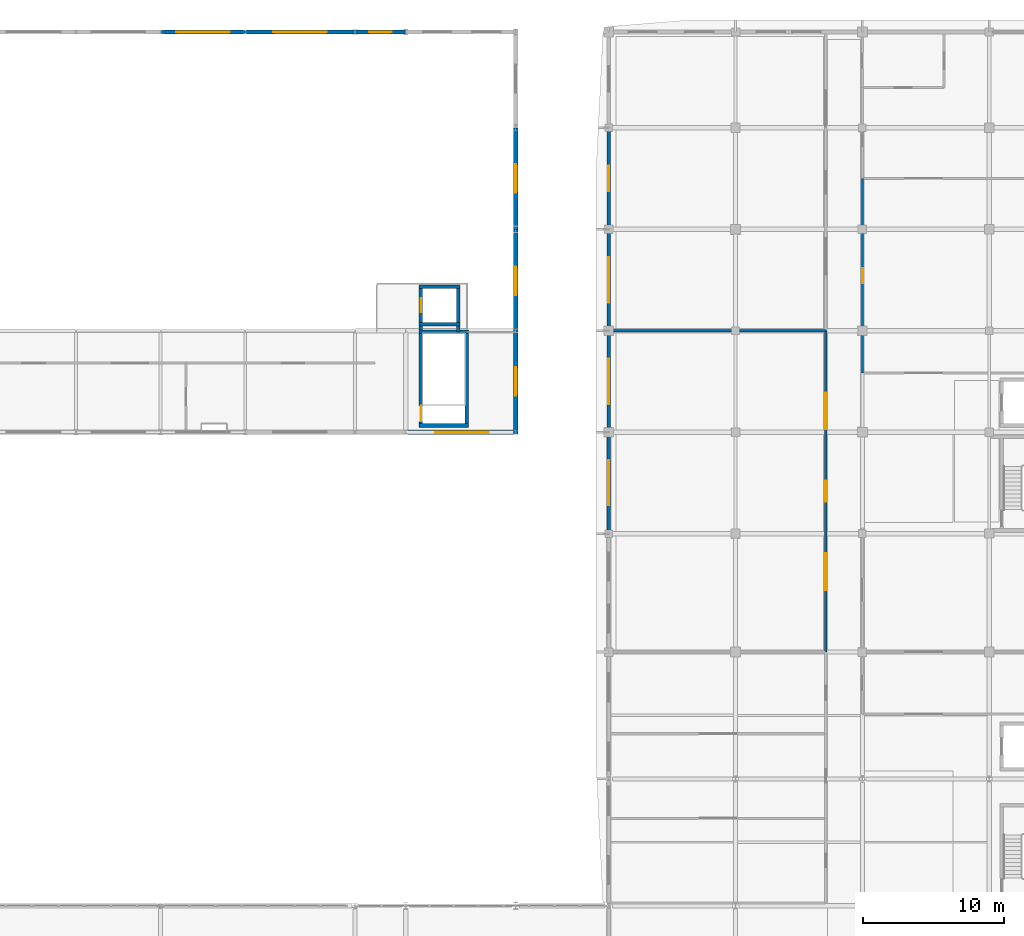
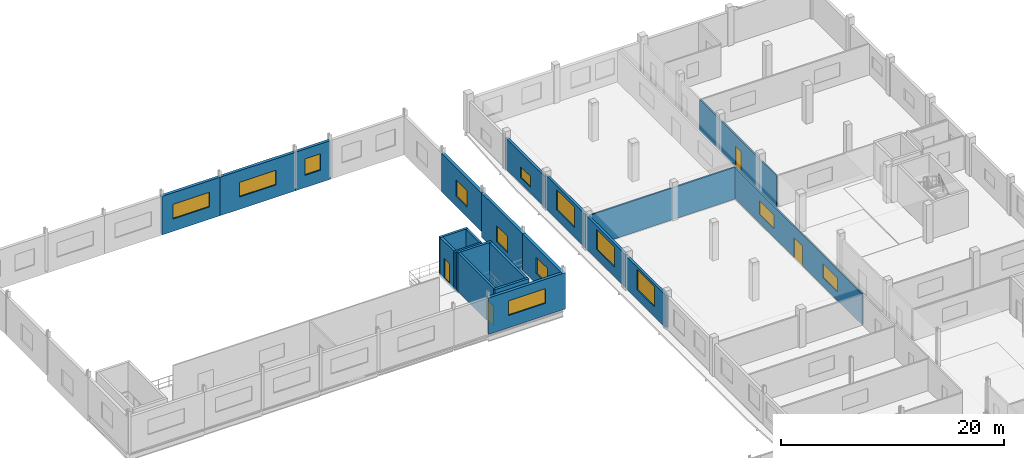
# One storey, part 102 of 121: 22 walls, 13 windows, 4 doors, 17 openings.
"""IFC4 building model written with IfcOpenShell, lengths in metres."""

from ifc_helpers import new_model, si_unit, direction, frame, frame_2d, origin, place, context, subcontext, project, spatial, rectangle, extrude, material, layer, layer_set, type_object, element, fill, save


model = new_model("IFC4")

# Units and contexts
model_context = context("Model", 3, precision=1e-05, world=origin(), true_north=direction((0.0, 1.0)))
body_context = subcontext(model_context, "Body", "Model", "MODEL_VIEW")
ifc_project = project(units=[si_unit("LENGTHUNIT", "METRE"), si_unit("AREAUNIT", "SQUARE_METRE"), si_unit("VOLUMEUNIT", "CUBIC_METRE"), si_unit("PLANEANGLEUNIT", "RADIAN"), si_unit("MASSUNIT", "GRAM", prefix="KILO")], contexts=[model_context])

# Site, building, storey
site_placement = place(None, origin())
site = spatial("IfcSite", under=ifc_project, at=site_placement, CompositionType="ELEMENT")
building_placement = place(site_placement, origin())
building = spatial("IfcBuilding", under=site, at=building_placement, Name="Vinh Khe Railworks Police Headquarters", CompositionType="ELEMENT")
storey_placement = place(building_placement, frame((0.0, 0.0, 4.800048828125)))
storey = spatial("IfcBuildingStorey", under=building, at=storey_placement, Name="L01", CompositionType="ELEMENT", Elevation=4.800048828125)

# Wall, opening, door
ifc_material_1 = material(Name="Concrete C40/50 (B40)", Category="concrete")
ifc_layer_1 = layer(ifc_material_1, 0.25)
ifc_layer_set_1 = layer_set([ifc_layer_1], Name="Concrete C40/50 (B40)")
wall_type_1 = type_object("IfcWallType", Name="CW-RC-250", PredefinedType="SHEAR", material=ifc_layer_set_1)
wall_1_placement = place(storey_placement, frame((64.675048828125, 138.35009765625, 0.0), z_axis=(0.0, 0.0, 1.0), x_axis=(0.0, 1.0, 0.0)))
wall_1 = element("IfcWall", 1, at=wall_1_placement, inside=storey, type_object=wall_type_1, Name="Core C6 Enclosure Wall L01 STAIR-W", PredefinedType="SHEAR", context=body_context, shape_type="SweptSolid", body=[
    extrude(rectangle(XDim=6.89990234375, YDim=0.25, at=frame_2d((3.449951171875, 0.0))), origin(), (0.0, 0.0, 1.0), 4.25),
])
opening_1_placement = place(wall_1_placement, frame((0.419921875, 0.0, 0.0)))
opening_1 = element("IfcOpeningElement", 2, at=opening_1_placement, cuts=wall_1, Name="Opening FD-01", PredefinedType="OPENING", context=body_context, shape_type="SweptSolid", body=[
    extrude(rectangle(XDim=1.10009765625, YDim=2.14990234375, at=frame_2d((0.550048828125, 1.074951171875))), frame((0.0, 0.139892578125, 0.0), z_axis=(0.0, -1.0, 0.0), x_axis=(1.0, 0.0, 0.0)), (0.0, 0.0, 1.0), 0.27978515625),
])
ifc_material_2 = material(Name="Painted galvanised steel", Category="steel")
door_type_1 = type_object("IfcDoorType", Name="FD-1100x2150", OperationType="NOTDEFINED", PredefinedType="DOOR", material=ifc_material_2)
door_1_placement = place(opening_1_placement, origin())
door_1 = element("IfcDoor", 3, at=door_1_placement, inside=storey, type_object=door_type_1, Name="Escape Stair ST-06 Fire Door L01", OperationType="SINGLE_SWING_LEFT", OverallHeight=2.14990234375, OverallWidth=1.10009765625, PredefinedType="DOOR", context=body_context, shape_type="SweptSolid", body=[
    extrude(rectangle(XDim=1.10009765625, YDim=2.14990234375, at=frame_2d((0.550048828125, 1.074951171875))), frame((0.0, 0.02490234375, 0.0), z_axis=(0.0, -1.0, 0.0), x_axis=(1.0, 0.0, 0.0)), (0.0, 0.0, 1.0), 0.050048828125),
])
fill(opening_1, door_1)

# Walls
wall_2_placement = place(storey_placement, frame((67.925048828125, 138.35009765625, 0.0), z_axis=(0.0, 0.0, 1.0), x_axis=(0.0, 1.0, 0.0)))
element("IfcWall", 4, at=wall_2_placement, inside=storey, type_object=wall_type_1, Name="Core C6 Enclosure Wall L01 STAIR-E", PredefinedType="SHEAR", context=body_context, shape_type="SweptSolid", body=[
    extrude(rectangle(XDim=6.89990234375, YDim=0.25, at=frame_2d((3.449951171875, 0.0))), origin(), (0.0, 0.0, 1.0), 4.25),
])
for number, where, z_axis, x_axis, name in (
    (5, (64.550048828125, 138.47509765625, 0.0), (0.0, 0.0, 1.0), (1.0, 0.0, 0.0), "Core C6 Enclosure Wall L01 STAIR-S"),
    (6, (64.550048828125, 145.125, 0.0), (0.0, 0.0, 1.0), (1.0, 0.0, 0.0), "Core C6 Enclosure Wall L01 STAIR-N"),
):
    element("IfcWall", number, at=place(storey_placement, frame(where, z_axis=z_axis, x_axis=x_axis)), inside=storey, type_object=wall_type_1, Name=name, PredefinedType="SHEAR", context=body_context, shape_type="SweptSolid", body=[
        extrude(rectangle(XDim=3.5, YDim=0.25, at=frame_2d((1.75, 0.0))), origin(), (0.0, 0.0, 1.0), 4.25),
    ])
wall_3_placement = place(storey_placement, frame((67.324951171875, 145.125, -0.239990234375), z_axis=(0.0, 0.0, 1.0), x_axis=(0.0, 1.0, 0.0)))
element("IfcWall", 7, at=wall_3_placement, inside=storey, type_object=wall_type_1, Name="Core C6 Lift Shaft Wall L01 PL-E", PredefinedType="SHEAR", context=body_context, shape_type="SweptSolid", body=[
    extrude(rectangle(XDim=3.324951171875, YDim=0.25, at=frame_2d((1.66259765625, 0.0))), origin(), (0.0, 0.0, 1.0), 4.219970703125),
])
for number, where, z_axis, x_axis, name in (
    (8, (64.550048828125, 145.675048828125, -0.239990234375), (0.0, 0.0, 1.0), (1.0, 0.0, 0.0), "Core C6 Lift Shaft Wall L01 PL-S"),
    (9, (64.550048828125, 148.324951171875, -0.239990234375), (0.0, 0.0, 1.0), (1.0, 0.0, 0.0), "Core C6 Lift Shaft Wall L01 PL-N"),
):
    element("IfcWall", number, at=place(storey_placement, frame(where, z_axis=z_axis, x_axis=x_axis)), inside=storey, type_object=wall_type_1, Name=name, PredefinedType="SHEAR", context=body_context, shape_type="SweptSolid", body=[
        extrude(rectangle(XDim=2.89990234375, YDim=0.25, at=frame_2d((1.449951171875, 0.0))), origin(), (0.0, 0.0, 1.0), 4.219970703125),
    ])

# Wall, opening, door
wall_4_placement = place(storey_placement, frame((64.675048828125, 145.125, -0.239990234375), z_axis=(0.0, 0.0, 1.0), x_axis=(0.0, 1.0, 0.0)))
wall_4 = element("IfcWall", 10, at=wall_4_placement, inside=storey, type_object=wall_type_1, Name="Core C6 Lift Shaft Wall L01 PL-W", PredefinedType="SHEAR", context=body_context, shape_type="SweptSolid", body=[
    extrude(rectangle(XDim=3.324951171875, YDim=0.25, at=frame_2d((1.66259765625, 0.0))), origin(), (0.0, 0.0, 1.0), 4.219970703125),
])
opening_2_placement = place(wall_4_placement, frame((1.375, 0.0, 0.239990234375)))
opening_2 = element("IfcOpeningElement", 11, at=opening_2_placement, cuts=wall_4, Name="Opening LD-02", PredefinedType="OPENING", context=body_context, shape_type="SweptSolid", body=[
    extrude(rectangle(XDim=1.0, YDim=2.14990234375, at=frame_2d((0.5, 1.074951171875))), frame((0.0, 0.139892578125, 0.0), z_axis=(0.0, -1.0, 0.0), x_axis=(1.0, 0.0, 0.0)), (0.0, 0.0, 1.0), 0.27978515625),
])
door_type_2 = type_object("IfcDoorType", Name="LD-PAX-1000", OperationType="SLIDING_TO_RIGHT", PredefinedType="DOOR", material=ifc_material_2)
door_2_placement = place(opening_2_placement, origin())
door_2 = element("IfcDoor", 12, at=door_2_placement, inside=storey, type_object=door_type_2, Name="Lift Landing Door PL-05 L01", OperationType="SLIDING_TO_LEFT", OverallHeight=2.14990234375, OverallWidth=1.0, PredefinedType="DOOR", context=body_context, shape_type="SweptSolid", body=[
    extrude(rectangle(XDim=1.0, YDim=2.14990234375, at=frame_2d((0.5, 1.074951171875))), frame((0.0, 0.02490234375, 0.0), z_axis=(0.0, -1.0, 0.0), x_axis=(1.0, 0.0, 0.0)), (0.0, 0.0, 1.0), 0.050048828125),
])
fill(opening_2, door_2)

# Wall, opening, window
ifc_material_3 = material(Name="Clay brickwork", Category="masonry")
ifc_layer_2 = layer(ifc_material_3, 0.260009765625)
ifc_layer_set_2 = layer_set([ifc_layer_2], Name="Clay brickwork")
wall_type_2 = type_object("IfcWallType", Name="EW-BRK-260", PredefinedType="SOLIDWALL", material=ifc_layer_set_2)
wall_5_placement = place(storey_placement, frame((78.0, 130.800048828125, 0.0), z_axis=(0.0, 0.0, 1.0), x_axis=(0.0, 1.0, 0.0)))
wall_5 = element("IfcWall", 13, at=wall_5_placement, inside=storey, type_object=wall_type_2, Name="Exterior Brick Wall EW-L01-V6W-05", PredefinedType="SOLIDWALL", context=body_context, shape_type="SweptSolid", body=[
    extrude(rectangle(XDim=7.199951171875, YDim=0.260009765625, at=frame_2d((3.60009765625, 0.0))), origin(), (0.0, 0.0, 1.0), 3.52490234375),
])
opening_3_placement = place(wall_5_placement, frame((2.0, 0.0, 1.050048828125)))
opening_3 = element("IfcOpeningElement", 14, at=opening_3_placement, cuts=wall_5, Name="Opening WN-03", PredefinedType="OPENING", context=body_context, shape_type="SweptSolid", body=[
    extrude(rectangle(XDim=3.199951171875, YDim=2.199951171875, at=frame_2d((1.60009765625, 1.10009765625))), frame((0.0, 0.14501953125, 0.0), z_axis=(0.0, -1.0, 0.0), x_axis=(1.0, 0.0, 0.0)), (0.0, 0.0, 1.0), 0.289794921875),
])
ifc_material_4 = material(Name="Double-glazed solar-control glass in dark steel frame", Category="steel")
window_type_1 = type_object("IfcWindowType", Name="WIN-WN-03", PartitioningType="TRIPLE_PANEL_VERTICAL", PredefinedType="WINDOW", material=ifc_material_4)
window_1_placement = place(opening_3_placement, origin())
window_1 = element("IfcWindow", 15, at=window_1_placement, inside=storey, type_object=window_type_1, Name="Casement Window WN-03", OverallHeight=2.199951171875, OverallWidth=3.199951171875, PartitioningType="SINGLE_PANEL", PredefinedType="WINDOW", context=body_context, shape_type="SweptSolid", body=[
    extrude(rectangle(XDim=3.199951171875, YDim=2.199951171875, at=frame_2d((1.60009765625, 1.10009765625))), frame((0.0, 0.030029296875, 0.0), z_axis=(0.0, -1.0, 0.0), x_axis=(1.0, 0.0, 0.0)), (0.0, 0.0, 1.0), 0.06005859375),
])
fill(opening_3, window_1)

wall_6_placement = place(storey_placement, frame((78.0, 138.0, 0.0), z_axis=(0.0, 0.0, 1.0), x_axis=(0.0, 1.0, 0.0)))
wall_6 = element("IfcWall", 16, at=wall_6_placement, inside=storey, type_object=wall_type_2, Name="Exterior Brick Wall EW-L01-V6W-06", PredefinedType="SOLIDWALL", context=body_context, shape_type="SweptSolid", body=[
    extrude(rectangle(XDim=7.199951171875, YDim=0.260009765625, at=frame_2d((3.60009765625, 0.0))), origin(), (0.0, 0.0, 1.0), 3.625),
])
opening_4_placement = place(wall_6_placement, frame((2.0, 0.0, 1.050048828125)))
opening_4 = element("IfcOpeningElement", 17, at=opening_4_placement, cuts=wall_6, Name="Opening WN-03", PredefinedType="OPENING", context=body_context, shape_type="SweptSolid", body=[
    extrude(rectangle(XDim=3.199951171875, YDim=2.199951171875, at=frame_2d((1.60009765625, 1.10009765625))), frame((0.0, 0.14501953125, 0.0), z_axis=(0.0, -1.0, 0.0), x_axis=(1.0, 0.0, 0.0)), (0.0, 0.0, 1.0), 0.289794921875),
])
window_2_placement = place(opening_4_placement, origin())
window_2 = element("IfcWindow", 18, at=window_2_placement, inside=storey, type_object=window_type_1, Name="Casement Window WN-03", OverallHeight=2.199951171875, OverallWidth=3.199951171875, PartitioningType="SINGLE_PANEL", PredefinedType="WINDOW", context=body_context, shape_type="SweptSolid", body=[
    extrude(rectangle(XDim=3.199951171875, YDim=2.199951171875, at=frame_2d((1.60009765625, 1.10009765625))), frame((0.0, 0.030029296875, 0.0), z_axis=(0.0, -1.0, 0.0), x_axis=(1.0, 0.0, 0.0)), (0.0, 0.0, 1.0), 0.06005859375),
])
fill(opening_4, window_2)

wall_7_placement = place(storey_placement, frame((78.0, 145.199951171875, 0.0), z_axis=(0.0, 0.0, 1.0), x_axis=(0.0, 1.0, 0.0)))
wall_7 = element("IfcWall", 19, at=wall_7_placement, inside=storey, type_object=wall_type_2, Name="Exterior Brick Wall EW-L01-V6W-07", PredefinedType="SOLIDWALL", context=body_context, shape_type="SweptSolid", body=[
    extrude(rectangle(XDim=7.199951171875, YDim=0.260009765625, at=frame_2d((3.60009765625, 0.0))), origin(), (0.0, 0.0, 1.0), 3.64501953125),
])
opening_5_placement = place(wall_7_placement, frame((2.0, 0.0, 1.050048828125)))
opening_5 = element("IfcOpeningElement", 20, at=opening_5_placement, cuts=wall_7, Name="Opening WN-03", PredefinedType="OPENING", context=body_context, shape_type="SweptSolid", body=[
    extrude(rectangle(XDim=3.199951171875, YDim=2.199951171875, at=frame_2d((1.60009765625, 1.10009765625))), frame((0.0, 0.14501953125, 0.0), z_axis=(0.0, -1.0, 0.0), x_axis=(1.0, 0.0, 0.0)), (0.0, 0.0, 1.0), 0.289794921875),
])
window_3_placement = place(opening_5_placement, origin())
window_3 = element("IfcWindow", 21, at=window_3_placement, inside=storey, type_object=window_type_1, Name="Casement Window WN-03", OverallHeight=2.199951171875, OverallWidth=3.199951171875, PartitioningType="SINGLE_PANEL", PredefinedType="WINDOW", context=body_context, shape_type="SweptSolid", body=[
    extrude(rectangle(XDim=3.199951171875, YDim=2.199951171875, at=frame_2d((1.60009765625, 1.10009765625))), frame((0.0, 0.030029296875, 0.0), z_axis=(0.0, -1.0, 0.0), x_axis=(1.0, 0.0, 0.0)), (0.0, 0.0, 1.0), 0.06005859375),
])
fill(opening_5, window_3)

wall_8_placement = place(storey_placement, frame((78.0, 152.39990234375, 0.0), z_axis=(0.0, 0.0, 1.0), x_axis=(0.0, 1.0, 0.0)))
wall_8 = element("IfcWall", 22, at=wall_8_placement, inside=storey, type_object=wall_type_2, Name="Exterior Brick Wall EW-L01-V6W-08", PredefinedType="SOLIDWALL", context=body_context, shape_type="SweptSolid", body=[
    extrude(rectangle(XDim=7.2001953125, YDim=0.260009765625, at=frame_2d((3.60009765625, 0.0))), origin(), (0.0, 0.0, 1.0), 3.375),
])
opening_6_placement = place(wall_8_placement, frame((2.699951171875, 0.0, 0.64990234375)))
opening_6 = element("IfcOpeningElement", 23, at=opening_6_placement, cuts=wall_8, Name="Opening WN-08", PredefinedType="OPENING", context=body_context, shape_type="SweptSolid", body=[
    extrude(rectangle(XDim=1.800048828125, YDim=1.199951171875, at=frame_2d((0.89990234375, 0.60009765625))), frame((0.0, 0.14501953125, 0.0), z_axis=(0.0, -1.0, 0.0), x_axis=(1.0, 0.0, 0.0)), (0.0, 0.0, 1.0), 0.289794921875),
])
window_type_2 = type_object("IfcWindowType", Name="WIN-WN-08", PartitioningType="SINGLE_PANEL", PredefinedType="WINDOW", material=ifc_material_4)
window_4_placement = place(opening_6_placement, origin())
window_4 = element("IfcWindow", 24, at=window_4_placement, inside=storey, type_object=window_type_2, Name="Casement Window WN-08", OverallHeight=1.199951171875, OverallWidth=1.800048828125, PartitioningType="SINGLE_PANEL", PredefinedType="WINDOW", context=body_context, shape_type="SweptSolid", body=[
    extrude(rectangle(XDim=1.800048828125, YDim=1.199951171875, at=frame_2d((0.89990234375, 0.60009765625))), frame((0.0, 0.030029296875, 0.0), z_axis=(0.0, -1.0, 0.0), x_axis=(1.0, 0.0, 0.0)), (0.0, 0.0, 1.0), 0.06005859375),
])
fill(opening_6, window_4)

ifc_layer_3 = layer(ifc_material_3, 0.300048828125)
ifc_layer_set_3 = layer_set([ifc_layer_3], Name="Clay brickwork")
wall_type_3 = type_object("IfcWallType", Name="EW-BRK-300", PredefinedType="SOLIDWALL", material=ifc_layer_set_3)
wall_9_placement = place(storey_placement, frame((63.60009765625, 138.0, 0.0), z_axis=(0.0, 0.0, 1.0), x_axis=(1.0, 0.0, 0.0)))
wall_9 = element("IfcWall", 25, at=wall_9_placement, inside=storey, type_object=wall_type_3, Name="Firing Range South Acoustic Wall L01-7", PredefinedType="SOLIDWALL", context=body_context, shape_type="SweptSolid", body=[
    extrude(rectangle(XDim=7.949951171875, YDim=0.300048828125, at=frame_2d((3.97509765625, 0.0))), origin(), (0.0, 0.0, 1.0), 3.97998046875),
])
opening_7_placement = place(wall_9_placement, frame((2.074951171875, 0.0, 1.35009765625)))
opening_7 = element("IfcOpeningElement", 26, at=opening_7_placement, cuts=wall_9, Name="Opening WN-09", PredefinedType="OPENING", context=body_context, shape_type="SweptSolid", body=[
    extrude(rectangle(XDim=3.800048828125, YDim=1.60009765625, at=frame_2d((1.89990234375, 0.800048828125))), frame((0.0, 0.1650390625, 0.0), z_axis=(0.0, -1.0, 0.0), x_axis=(1.0, 0.0, 0.0)), (0.0, 0.0, 1.0), 0.329833984375),
])
window_type_3 = type_object("IfcWindowType", Name="WIN-WN-09", PartitioningType="TRIPLE_PANEL_HORIZONTAL", PredefinedType="WINDOW", material=ifc_material_4)
window_5_placement = place(opening_7_placement, origin())
window_5 = element("IfcWindow", 27, at=window_5_placement, inside=storey, type_object=window_type_3, Name="Acoustic High Clerestory Window WIN-WN-09", OverallHeight=1.60009765625, OverallWidth=3.800048828125, PartitioningType="SINGLE_PANEL", PredefinedType="WINDOW", context=body_context, shape_type="SweptSolid", body=[
    extrude(rectangle(XDim=3.800048828125, YDim=1.60009765625, at=frame_2d((1.89990234375, 0.800048828125))), frame((0.0, 0.030029296875, 0.0), z_axis=(0.0, -1.0, 0.0), x_axis=(1.0, 0.0, 0.0)), (0.0, 0.0, 1.0), 0.06005859375),
])
fill(opening_7, window_5)

wall_10_placement = place(storey_placement, frame((46.199951171875, 166.39990234375, -0.239990234375), z_axis=(0.0, 0.0, 1.0), x_axis=(1.0, 0.0, 0.0)))
wall_10 = element("IfcWall", 28, at=wall_10_placement, inside=storey, type_object=wall_type_3, Name="Exterior Brick Wall EW-L01-V3N-04", PredefinedType="SOLIDWALL", context=body_context, shape_type="SweptSolid", body=[
    extrude(rectangle(XDim=6.0, YDim=0.300048828125, at=frame_2d((3.0, 0.0))), origin(), (0.0, 0.0, 1.0), 4.219970703125),
])
opening_8_placement = place(wall_10_placement, frame((1.10009765625, 0.0, 1.35009765625)))
opening_8 = element("IfcOpeningElement", 29, at=opening_8_placement, cuts=wall_10, Name="Opening WN-09", PredefinedType="OPENING", context=body_context, shape_type="SweptSolid", body=[
    extrude(rectangle(XDim=3.800048828125, YDim=1.60009765625, at=frame_2d((1.89990234375, 0.800048828125))), frame((0.0, 0.1650390625, 0.0), z_axis=(0.0, -1.0, 0.0), x_axis=(1.0, 0.0, 0.0)), (0.0, 0.0, 1.0), 0.329833984375),
])
window_6_placement = place(opening_8_placement, origin())
window_6 = element("IfcWindow", 30, at=window_6_placement, inside=storey, type_object=window_type_3, Name="Casement Window WN-09", OverallHeight=1.60009765625, OverallWidth=3.800048828125, PartitioningType="SINGLE_PANEL", PredefinedType="WINDOW", context=body_context, shape_type="SweptSolid", body=[
    extrude(rectangle(XDim=3.800048828125, YDim=1.60009765625, at=frame_2d((1.89990234375, 0.800048828125))), frame((0.0, 0.030029296875, 0.0), z_axis=(0.0, -1.0, 0.0), x_axis=(1.0, 0.0, 0.0)), (0.0, 0.0, 1.0), 0.06005859375),
])
fill(opening_8, window_6)

wall_11_placement = place(storey_placement, frame((52.199951171875, 166.39990234375, -0.239990234375), z_axis=(0.0, 0.0, 1.0), x_axis=(1.0, 0.0, 0.0)))
wall_11 = element("IfcWall", 31, at=wall_11_placement, inside=storey, type_object=wall_type_3, Name="Exterior Brick Wall EW-L01-V3N-05", PredefinedType="SOLIDWALL", context=body_context, shape_type="SweptSolid", body=[
    extrude(rectangle(XDim=7.800048828125, YDim=0.300048828125, at=frame_2d((3.89990234375, 0.0))), origin(), (0.0, 0.0, 1.0), 4.219970703125),
])
opening_9_placement = place(wall_11_placement, frame((2.0, 0.0, 1.35009765625)))
opening_9 = element("IfcOpeningElement", 32, at=opening_9_placement, cuts=wall_11, Name="Opening WN-09", PredefinedType="OPENING", context=body_context, shape_type="SweptSolid", body=[
    extrude(rectangle(XDim=3.800048828125, YDim=1.60009765625, at=frame_2d((1.89990234375, 0.800048828125))), frame((0.0, 0.1650390625, 0.0), z_axis=(0.0, -1.0, 0.0), x_axis=(1.0, 0.0, 0.0)), (0.0, 0.0, 1.0), 0.329833984375),
])
window_7_placement = place(opening_9_placement, origin())
window_7 = element("IfcWindow", 33, at=window_7_placement, inside=storey, type_object=window_type_3, Name="Casement Window WN-09", OverallHeight=1.60009765625, OverallWidth=3.800048828125, PartitioningType="SINGLE_PANEL", PredefinedType="WINDOW", context=body_context, shape_type="SweptSolid", body=[
    extrude(rectangle(XDim=3.800048828125, YDim=1.60009765625, at=frame_2d((1.89990234375, 0.800048828125))), frame((0.0, 0.030029296875, 0.0), z_axis=(0.0, -1.0, 0.0), x_axis=(1.0, 0.0, 0.0)), (0.0, 0.0, 1.0), 0.06005859375),
])
fill(opening_9, window_7)

wall_12_placement = place(storey_placement, frame((60.0, 166.39990234375, -0.239990234375), z_axis=(0.0, 0.0, 1.0), x_axis=(1.0, 0.0, 0.0)))
wall_12 = element("IfcWall", 34, at=wall_12_placement, inside=storey, type_object=wall_type_3, Name="Exterior Brick Wall EW-L01-V3N-06", PredefinedType="SOLIDWALL", context=body_context, shape_type="SweptSolid", body=[
    extrude(rectangle(XDim=3.60009765625, YDim=0.300048828125, at=frame_2d((1.800048828125, 0.0))), origin(), (0.0, 0.0, 1.0), 4.219970703125),
])
opening_10_placement = place(wall_12_placement, frame((1.0, 0.0, 1.35009765625)))
opening_10 = element("IfcOpeningElement", 35, at=opening_10_placement, cuts=wall_12, Name="Opening WN-05", PredefinedType="OPENING", context=body_context, shape_type="SweptSolid", body=[
    extrude(rectangle(XDim=1.60009765625, YDim=1.800048828125, at=frame_2d((0.800048828125, 0.89990234375))), frame((0.0, 0.1650390625, 0.0), z_axis=(0.0, -1.0, 0.0), x_axis=(1.0, 0.0, 0.0)), (0.0, 0.0, 1.0), 0.329833984375),
])
window_type_4 = type_object("IfcWindowType", Name="WIN-WN-05", PartitioningType="SINGLE_PANEL", PredefinedType="WINDOW", material=ifc_material_4)
window_8_placement = place(opening_10_placement, origin())
window_8 = element("IfcWindow", 36, at=window_8_placement, inside=storey, type_object=window_type_4, Name="Casement Window WN-05", OverallHeight=1.800048828125, OverallWidth=1.60009765625, PartitioningType="SINGLE_PANEL", PredefinedType="WINDOW", context=body_context, shape_type="SweptSolid", body=[
    extrude(rectangle(XDim=1.60009765625, YDim=1.800048828125, at=frame_2d((0.800048828125, 0.89990234375))), frame((0.0, 0.030029296875, 0.0), z_axis=(0.0, -1.0, 0.0), x_axis=(1.0, 0.0, 0.0)), (0.0, 0.0, 1.0), 0.06005859375),
])
fill(opening_10, window_8)

wall_13_placement = place(storey_placement, frame((71.39990234375, 137.85009765625, 0.0), z_axis=(0.0, 0.0, 1.0), x_axis=(0.0, 1.0, 0.0)))
wall_13 = element("IfcWall", 37, at=wall_13_placement, inside=storey, type_object=wall_type_3, Name="Exterior Brick Wall EW-L01-V3EM-01", PredefinedType="SOLIDWALL", context=body_context, shape_type="SweptSolid", body=[
    extrude(rectangle(XDim=7.5, YDim=0.300048828125, at=frame_2d((3.75, 0.0))), origin(), (0.0, 0.0, 1.0), 3.97998046875),
])
opening_11_placement = place(wall_13_placement, frame((2.75, 0.0, 1.10009765625)))
opening_11 = element("IfcOpeningElement", 38, at=opening_11_placement, cuts=wall_13, Name="Opening WN-04", PredefinedType="OPENING", context=body_context, shape_type="SweptSolid", body=[
    extrude(rectangle(XDim=2.0, YDim=1.800048828125, at=frame_2d((1.0, 0.89990234375))), frame((0.0, 0.1650390625, 0.0), z_axis=(0.0, -1.0, 0.0), x_axis=(1.0, 0.0, 0.0)), (0.0, 0.0, 1.0), 0.329833984375),
])
window_type_5 = type_object("IfcWindowType", Name="WIN-WN-04", PartitioningType="DOUBLE_PANEL_VERTICAL", PredefinedType="WINDOW", material=ifc_material_4)
window_9_placement = place(opening_11_placement, origin())
window_9 = element("IfcWindow", 39, at=window_9_placement, inside=storey, type_object=window_type_5, Name="Casement Window WN-04", OverallHeight=1.800048828125, OverallWidth=2.0, PartitioningType="SINGLE_PANEL", PredefinedType="WINDOW", context=body_context, shape_type="SweptSolid", body=[
    extrude(rectangle(XDim=2.0, YDim=1.800048828125, at=frame_2d((1.0, 0.89990234375))), frame((0.0, 0.030029296875, 0.0), z_axis=(0.0, -1.0, 0.0), x_axis=(1.0, 0.0, 0.0)), (0.0, 0.0, 1.0), 0.06005859375),
])
fill(opening_11, window_9)

wall_14_placement = place(storey_placement, frame((71.39990234375, 145.050048828125, -0.844970703125), z_axis=(0.0, 0.0, 1.0), x_axis=(0.0, 1.0, 0.0)))
wall_14 = element("IfcWall", 40, at=wall_14_placement, inside=storey, type_object=wall_type_3, Name="Exterior Brick Wall EW-L01-V3E-01", PredefinedType="SOLIDWALL", context=body_context, shape_type="SweptSolid", body=[
    extrude(rectangle(XDim=7.349853515625, YDim=0.300048828125, at=frame_2d((3.6748046875, 0.0))), origin(), (0.0, 0.0, 1.0), 4.824951171875),
])
opening_12_placement = place(wall_14_placement, frame((2.675048828125, 0.0, 1.10009765625)))
opening_12 = element("IfcOpeningElement", 41, at=opening_12_placement, cuts=wall_14, Name="Opening WN-04", PredefinedType="OPENING", context=body_context, shape_type="SweptSolid", body=[
    extrude(rectangle(XDim=2.0, YDim=1.800048828125, at=frame_2d((1.0, 0.89990234375))), frame((0.0, 0.1650390625, 0.0), z_axis=(0.0, -1.0, 0.0), x_axis=(1.0, 0.0, 0.0)), (0.0, 0.0, 1.0), 0.329833984375),
])
window_10_placement = place(opening_12_placement, origin())
window_10 = element("IfcWindow", 42, at=window_10_placement, inside=storey, type_object=window_type_5, Name="Casement Window WN-04", OverallHeight=1.800048828125, OverallWidth=2.0, PartitioningType="SINGLE_PANEL", PredefinedType="WINDOW", context=body_context, shape_type="SweptSolid", body=[
    extrude(rectangle(XDim=2.0, YDim=1.800048828125, at=frame_2d((1.0, 0.89990234375))), frame((0.0, 0.030029296875, 0.0), z_axis=(0.0, -1.0, 0.0), x_axis=(1.0, 0.0, 0.0)), (0.0, 0.0, 1.0), 0.06005859375),
])
fill(opening_12, window_10)

wall_15_placement = place(storey_placement, frame((71.39990234375, 152.39990234375, -0.239990234375), z_axis=(0.0, 0.0, 1.0), x_axis=(0.0, 1.0, 0.0)))
wall_15 = element("IfcWall", 43, at=wall_15_placement, inside=storey, type_object=wall_type_3, Name="Exterior Brick Wall EW-L01-V3E-02", PredefinedType="SOLIDWALL", context=body_context, shape_type="SweptSolid", body=[
    extrude(rectangle(XDim=7.2001953125, YDim=0.300048828125, at=frame_2d((3.60009765625, 0.0))), origin(), (0.0, 0.0, 1.0), 4.219970703125),
])
opening_13_placement = place(wall_15_placement, frame((2.60009765625, 0.0, 1.10009765625)))
opening_13 = element("IfcOpeningElement", 44, at=opening_13_placement, cuts=wall_15, Name="Opening WN-04", PredefinedType="OPENING", context=body_context, shape_type="SweptSolid", body=[
    extrude(rectangle(XDim=2.0, YDim=1.800048828125, at=frame_2d((1.0, 0.89990234375))), frame((0.0, 0.1650390625, 0.0), z_axis=(0.0, -1.0, 0.0), x_axis=(1.0, 0.0, 0.0)), (0.0, 0.0, 1.0), 0.329833984375),
])
window_11_placement = place(opening_13_placement, origin())
window_11 = element("IfcWindow", 45, at=window_11_placement, inside=storey, type_object=window_type_5, Name="Casement Window WN-04", OverallHeight=1.800048828125, OverallWidth=2.0, PartitioningType="SINGLE_PANEL", PredefinedType="WINDOW", context=body_context, shape_type="SweptSolid", body=[
    extrude(rectangle(XDim=2.0, YDim=1.800048828125, at=frame_2d((1.0, 0.89990234375))), frame((0.0, 0.030029296875, 0.0), z_axis=(0.0, -1.0, 0.0), x_axis=(1.0, 0.0, 0.0)), (0.0, 0.0, 1.0), 0.06005859375),
])
fill(opening_13, window_11)

# Wall
ifc_material_5 = material(Name="Gypsum plasterboard on steel stud", Category="steel")
ifc_layer_4 = layer(ifc_material_5, 0.1201171875)
ifc_layer_set_4 = layer_set([ifc_layer_4], Name="Gypsum plasterboard on steel stud")
wall_type_4 = type_object("IfcWallType", Name="IW-PART-120", PredefinedType="PARTITIONING", material=ifc_layer_set_4)
wall_16_placement = place(storey_placement, frame((78.139892578125, 145.199951171875, 0.0), z_axis=(0.0, 0.0, 1.0), x_axis=(1.0, 0.0, 0.0)))
element("IfcWall", 46, at=wall_16_placement, inside=storey, type_object=wall_type_4, Name="Interior Partition W-L01-V6-TBRF-DIV", PredefinedType="PARTITIONING", context=body_context, shape_type="SweptSolid", body=[
    extrude(rectangle(XDim=15.260009765625, YDim=0.14990234375, at=frame_2d((7.6298828125, 0.0))), origin(), (0.0, 0.0, 1.0), 3.48486328125),
])

# Wall, openings, door, windows
ifc_material_6 = material(Name="Gypsum plasterboard on acoustic steel stud", Category="steel")
ifc_layer_5 = layer(ifc_material_6, 0.14990234375)
ifc_layer_set_5 = layer_set([ifc_layer_5], Name="Gypsum plasterboard on acoustic steel stud")
wall_type_5 = type_object("IfcWallType", Name="IW-PART-150", PredefinedType="PARTITIONING", material=ifc_layer_set_5)
wall_17_placement = place(storey_placement, frame((93.39990234375, 122.39990234375, 0.0), z_axis=(0.0, 0.0, 1.0), x_axis=(0.0, 1.0, 0.0)))
wall_17 = element("IfcWall", 47, at=wall_17_placement, inside=storey, type_object=wall_type_5, Name="Interior Partition W-L01-V6-FCHEM-CW", PredefinedType="PARTITIONING", context=body_context, shape_type="SweptSolid", body=[
    extrude(rectangle(XDim=22.800048828125, YDim=0.14990234375, at=frame_2d((11.39990234375, 0.0))), origin(), (0.0, 0.0, 1.0), 3.385009765625),
])
opening_14_placement = place(wall_17_placement, frame((10.64990234375, 0.0, 0.0)))
opening_14 = element("IfcOpeningElement", 48, at=opening_14_placement, cuts=wall_17, Name="Opening FD-02", PredefinedType="OPENING", context=body_context, shape_type="SweptSolid", body=[
    extrude(rectangle(XDim=1.5, YDim=2.14990234375, at=frame_2d((0.75, 1.074951171875))), frame((0.0, 0.08984375, 0.0), z_axis=(0.0, -1.0, 0.0), x_axis=(1.0, 0.0, 0.0)), (0.0, 0.0, 1.0), 0.1796875),
])
opening_15_placement = place(wall_17_placement, frame((4.39990234375, 0.0, 0.949951171875)))
opening_15 = element("IfcOpeningElement", 49, at=opening_15_placement, cuts=wall_17, Name="Opening WN-07", PredefinedType="OPENING", context=body_context, shape_type="SweptSolid", body=[
    extrude(rectangle(XDim=2.60009765625, YDim=1.5, at=frame_2d((1.300048828125, 0.75))), frame((0.0, 0.08984375, 0.0), z_axis=(0.0, -1.0, 0.0), x_axis=(1.0, 0.0, 0.0)), (0.0, 0.0, 1.0), 0.1796875),
])
opening_16_placement = place(wall_17_placement, frame((15.800048828125, 0.0, 0.949951171875)))
opening_16 = element("IfcOpeningElement", 50, at=opening_16_placement, cuts=wall_17, Name="Opening WN-07", PredefinedType="OPENING", context=body_context, shape_type="SweptSolid", body=[
    extrude(rectangle(XDim=2.60009765625, YDim=1.5, at=frame_2d((1.300048828125, 0.75))), frame((0.0, 0.08984375, 0.0), z_axis=(0.0, -1.0, 0.0), x_axis=(1.0, 0.0, 0.0)), (0.0, 0.0, 1.0), 0.1796875),
])
door_type_3 = type_object("IfcDoorType", Name="FD-1500x2150", OperationType="DOUBLE_DOOR_SINGLE_SWING", PredefinedType="DOOR", material=ifc_material_2)
door_3_placement = place(opening_14_placement, origin())
door_3 = element("IfcDoor", 51, at=door_3_placement, inside=storey, type_object=door_type_3, Name="Forensic Chemistry Laboratory Door", OperationType="DOUBLE_DOOR_SINGLE_SWING", OverallHeight=2.14990234375, OverallWidth=1.5, PredefinedType="DOOR", context=body_context, shape_type="SweptSolid", body=[
    extrude(rectangle(XDim=1.5, YDim=2.14990234375, at=frame_2d((0.75, 1.074951171875))), frame((0.0, 0.02490234375, 0.0), z_axis=(0.0, -1.0, 0.0), x_axis=(1.0, 0.0, 0.0)), (0.0, 0.0, 1.0), 0.050048828125),
])
fill(opening_14, door_3)
window_type_6 = type_object("IfcWindowType", Name="WIN-WN-07", PartitioningType="DOUBLE_PANEL_HORIZONTAL", PredefinedType="WINDOW", material=ifc_material_4)
window_12_placement = place(opening_15_placement, origin())
window_12 = element("IfcWindow", 52, at=window_12_placement, inside=storey, type_object=window_type_6, Name="Interior Acoustic Vision Window WN-07", OverallHeight=1.5, OverallWidth=2.60009765625, PartitioningType="SINGLE_PANEL", PredefinedType="WINDOW", context=body_context, shape_type="SweptSolid", body=[
    extrude(rectangle(XDim=2.60009765625, YDim=1.5, at=frame_2d((1.300048828125, 0.75))), frame((0.0, 0.030029296875, 0.0), z_axis=(0.0, -1.0, 0.0), x_axis=(1.0, 0.0, 0.0)), (0.0, 0.0, 1.0), 0.06005859375),
])
fill(opening_15, window_12)
window_13_placement = place(opening_16_placement, origin())
window_13 = element("IfcWindow", 53, at=window_13_placement, inside=storey, type_object=window_type_6, Name="Interior Acoustic Vision Window WN-07", OverallHeight=1.5, OverallWidth=2.60009765625, PartitioningType="SINGLE_PANEL", PredefinedType="WINDOW", context=body_context, shape_type="SweptSolid", body=[
    extrude(rectangle(XDim=2.60009765625, YDim=1.5, at=frame_2d((1.300048828125, 0.75))), frame((0.0, 0.030029296875, 0.0), z_axis=(0.0, -1.0, 0.0), x_axis=(1.0, 0.0, 0.0)), (0.0, 0.0, 1.0), 0.06005859375),
])
fill(opening_16, window_13)

# Wall, opening, door
wall_18_placement = place(storey_placement, frame((96.0, 142.199951171875, 0.0), z_axis=(0.0, 0.0, 1.0), x_axis=(0.0, 1.0, 0.0)))
wall_18 = element("IfcWall", 54, at=wall_18_placement, inside=storey, type_object=wall_type_5, Name="Interior Partition W-L01-V6-TRACE-CE", PredefinedType="PARTITIONING", context=body_context, shape_type="SweptSolid", body=[
    extrude(rectangle(XDim=13.800048828125, YDim=0.14990234375, at=frame_2d((6.89990234375, 0.0))), origin(), (0.0, 0.0, 1.0), 3.375),
])
opening_17_placement = place(wall_18_placement, frame((6.375, 0.0, 0.0)))
opening_17 = element("IfcOpeningElement", 55, at=opening_17_placement, cuts=wall_18, Name="Opening D-02", PredefinedType="OPENING", context=body_context, shape_type="SweptSolid", body=[
    extrude(rectangle(XDim=1.050048828125, YDim=2.14990234375, at=frame_2d((0.52490234375, 1.074951171875))), frame((0.0, 0.08984375, 0.0), z_axis=(0.0, -1.0, 0.0), x_axis=(1.0, 0.0, 0.0)), (0.0, 0.0, 1.0), 0.1796875),
])
ifc_material_7 = material(Name="Seasoned hardwood timber", Category="wood")
door_type_4 = type_object("IfcDoorType", Name="ID-1050x2150", OperationType="NOTDEFINED", PredefinedType="DOOR", material=ifc_material_7)
door_4_placement = place(opening_17_placement, origin())
door_4 = element("IfcDoor", 56, at=door_4_placement, inside=storey, type_object=door_type_4, Name="Trace Evidence Microscopy Laboratory Door", OperationType="SINGLE_SWING_LEFT", OverallHeight=2.14990234375, OverallWidth=1.050048828125, PredefinedType="DOOR", context=body_context, shape_type="SweptSolid", body=[
    extrude(rectangle(XDim=1.050048828125, YDim=2.14990234375, at=frame_2d((0.52490234375, 1.074951171875))), frame((0.0, 0.02490234375, 0.0), z_axis=(0.0, -1.0, 0.0), x_axis=(1.0, 0.0, 0.0)), (0.0, 0.0, 1.0), 0.050048828125),
])
fill(opening_17, door_4)

save(model, "model.ifc")
